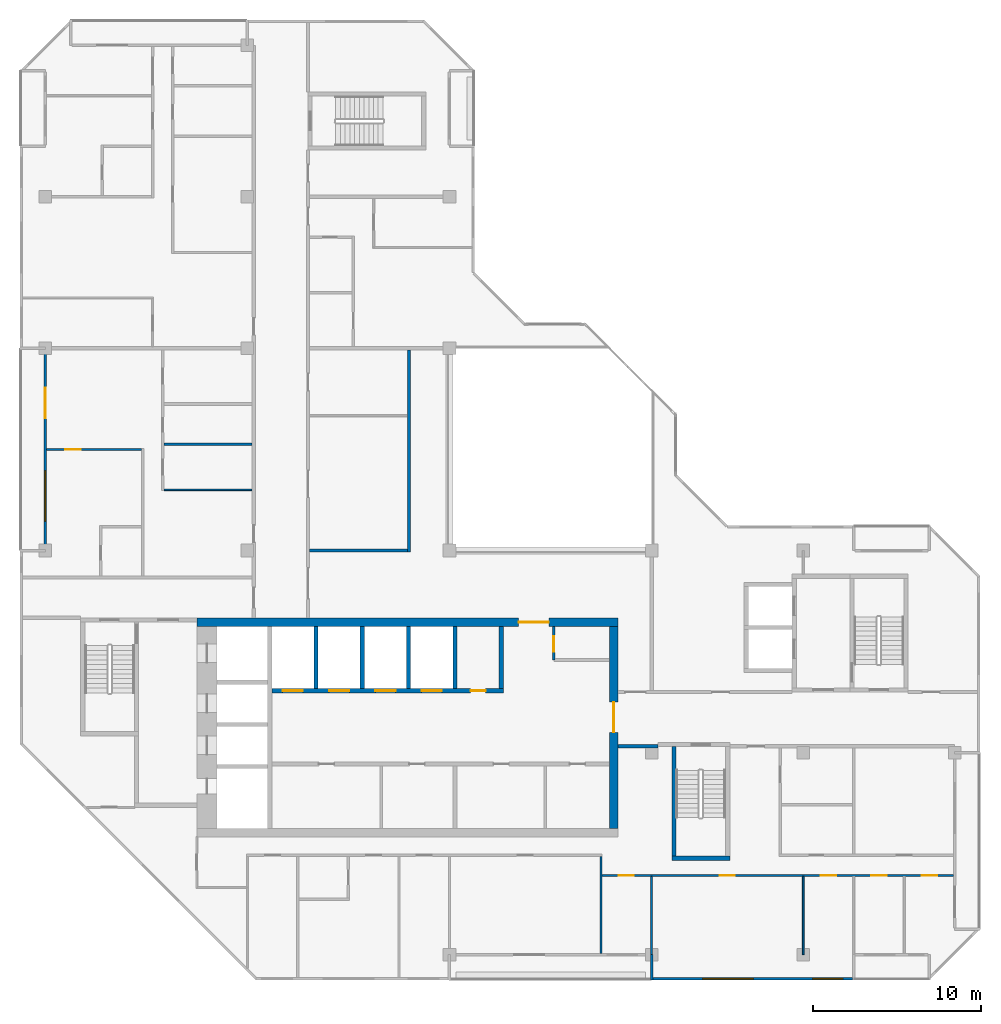
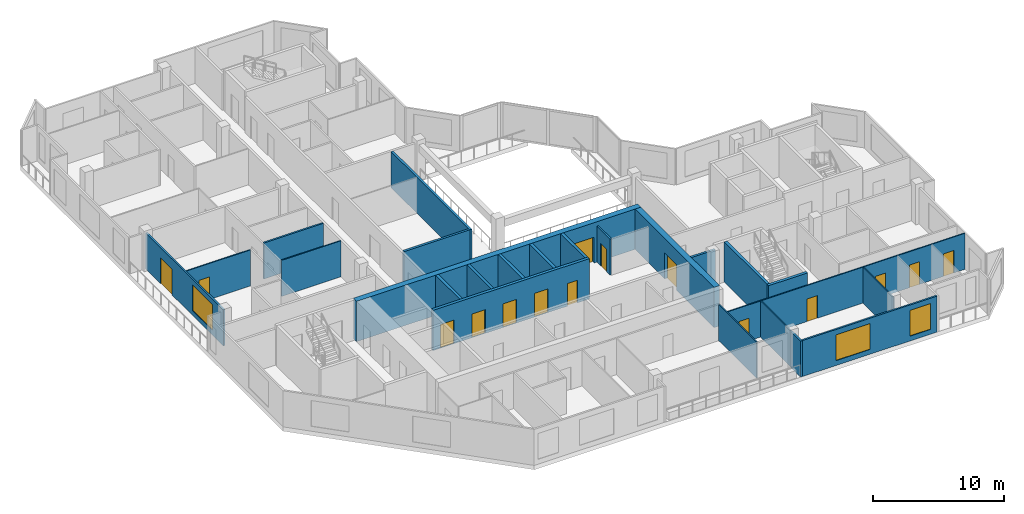
# One storey, part 5 of 12: 24 walls, 15 doors, 3 windows, 18 openings.
"""IFC4 building model written with IfcOpenShell, lengths in metres."""

import ifcopenshell
import ifcopenshell.guid

model = None  # the IFC model being written
_history = None  # IfcOwnerHistory: only IFC2X3 demands one
_inside = {}  # id of a spatial element -> (the spatial element, [elements in it])
_under = {}  # id of a project, library or spatial element -> (it, [spatial elements below it])
_declared = {}  # id of a project -> (the project, [libraries it declares])
_typed = {}  # id of a type object -> (the type object, [elements of that type])
_made_of = {}  # id of a material, layer set ... -> (it, [elements and type objects made of it])


def new_model(schema):
    """Start an empty IFC model of exactly this schema.

    Asked for "IFC4X3", IfcOpenShell would pick the latest addendum, in which some entities
    have other attributes; the version numbers below select the first issue.
    IFC2X3 requires an IfcOwnerHistory on every rooted entity: one is made here for all.
    """
    global model, _history
    if schema == "IFC4X3":
        model = ifcopenshell.file(schema_version=(4, 3, 0, 0))
    else:
        model = ifcopenshell.file(schema=schema)
    _inside.clear()
    _under.clear()
    _declared.clear()
    _typed.clear()
    _made_of.clear()
    _history = None
    if model.schema == "IFC2X3":
        org = make("IfcOrganization", Name="unknown")
        user = make(
            "IfcPersonAndOrganization",
            ThePerson=make("IfcPerson", FamilyName="unknown"),
            TheOrganization=org,
        )
        app = make(
            "IfcApplication",
            ApplicationDeveloper=org,
            Version="unknown",
            ApplicationFullName="unknown",
            ApplicationIdentifier="unknown",
        )
        _history = make(
            "IfcOwnerHistory",
            OwningUser=user,
            OwningApplication=app,
            ChangeAction="ADDED",
            CreationDate=0,
        )
    return model


def make(cls, **values):
    """One entity of the class cls with the attributes given. An attribute that is None is left unset."""
    return model.create_entity(
        cls, **{name: value for name, value in values.items() if value is not None}
    )


def rooted(cls, **values):
    """An entity with a GlobalId (a new one), such as an element, a storey or a relation."""
    return make(cls, GlobalId=ifcopenshell.guid.new(), OwnerHistory=_history, **values)


def si_unit(unit_type, name, prefix=None):
    """IfcSIUnit, for example si_unit("LENGTHUNIT", "METRE", prefix="MILLI")."""
    return make("IfcSIUnit", UnitType=unit_type, Prefix=prefix, Name=name)


def assignment(units):
    """IfcUnitAssignment: the units of a project."""
    return None if units is None else make("IfcUnitAssignment", Units=units)


def point(xyz):
    """IfcCartesianPoint."""
    return None if xyz is None else make("IfcCartesianPoint", Coordinates=xyz)


def direction(xyz):
    """IfcDirection."""
    return None if xyz is None else make("IfcDirection", DirectionRatios=xyz)


def frame(location, z_axis=None, x_axis=None):
    """IfcAxis2Placement3D, a coordinate frame: its origin and axes. An axis left out is left unset."""
    return make(
        "IfcAxis2Placement3D",
        Location=point(location),
        Axis=direction(z_axis),
        RefDirection=direction(x_axis),
    )


def frame_2d(location, x_axis=None):
    """IfcAxis2Placement2D, a coordinate frame in the plane: its origin and x axis."""
    return make(
        "IfcAxis2Placement2D", Location=point(location), RefDirection=direction(x_axis)
    )


def origin():
    """The frame at (0, 0, 0) with its axes left unset."""
    return frame((0.0, 0.0, 0.0))


def place(relative_to, where):
    """IfcLocalPlacement: puts the frame where relative to a parent placement (None: the world)."""
    return make(
        "IfcLocalPlacement", PlacementRelTo=relative_to, RelativePlacement=where
    )


def context(
    kind, dimensions, precision=None, world=None, true_north=None, identifier=None
):
    """IfcGeometricRepresentationContext, for example the 3D "Model" context."""
    return make(
        "IfcGeometricRepresentationContext",
        ContextIdentifier=identifier,
        ContextType=kind,
        CoordinateSpaceDimension=dimensions,
        Precision=precision,
        WorldCoordinateSystem=world,
        TrueNorth=true_north,
    )


def subcontext(parent, identifier, kind, view, scale=None):
    """IfcGeometricRepresentationSubContext, for example "Body" below "Model"."""
    return make(
        "IfcGeometricRepresentationSubContext",
        ContextIdentifier=identifier,
        ContextType=kind,
        ParentContext=parent,
        TargetScale=scale,
        TargetView=view,
    )


def project(units=None, contexts=None):
    """IfcProject with its units and contexts."""
    return rooted(
        "IfcProject",
        Name="project",
        RepresentationContexts=contexts,
        UnitsInContext=assignment(units),
    )


def spatial(cls, under=None, at=None, **own):
    """A site, building, storey or space (cls), placed at a placement, below another one or the project."""
    s = rooted(cls, ObjectPlacement=at, **own)
    if under is not None:
        _under.setdefault(under.id(), (under, []))[1].append(s)
    return s


def profile(cls, at=None, kind="AREA", **sizes):
    """A parametric profile (cls). Its sizes go by their IFC names, for example OverallWidth=200.0."""
    return make(cls, ProfileType=kind, Position=at, **sizes)


def rectangle(**sizes):
    """IfcRectangleProfileDef."""
    return profile("IfcRectangleProfileDef", **sizes)


def extrude(swept, where, along, depth):
    """IfcExtrudedAreaSolid: the profile swept, set in the frame where, extruded along a direction by depth."""
    return make(
        "IfcExtrudedAreaSolid",
        SweptArea=swept,
        Position=where,
        ExtrudedDirection=direction(along),
        Depth=depth,
    )


def shape(context_of_items, identifier, shape_type, items):
    """IfcShapeRepresentation: the items that make up one representation, for example the "Body"."""
    return make(
        "IfcShapeRepresentation",
        ContextOfItems=context_of_items,
        RepresentationIdentifier=identifier,
        RepresentationType=shape_type,
        Items=items,
    )


def material(Name=None, Category=None):
    """IfcMaterial."""
    return make("IfcMaterial", Name=Name, Category=Category)


def layer(
    of_material, thickness, ventilated=None, Name=None, Category=None, Priority=None
):
    """IfcMaterialLayer: one layer of a wall or slab, of a material (None: an air gap)."""
    return make(
        "IfcMaterialLayer",
        Material=of_material,
        LayerThickness=thickness,
        IsVentilated=ventilated,
        Name=Name,
        Category=Category,
        Priority=Priority,
    )


def layer_set(layers, Name=None):
    """IfcMaterialLayerSet."""
    return make("IfcMaterialLayerSet", MaterialLayers=layers, LayerSetName=Name)


def made_of(thing, what):
    """Note that an element or type object is made of a material, layer set ...; save() writes the relation."""
    if what is not None:
        _made_of.setdefault(what.id(), (what, []))[1].append(thing)
    return thing


def type_object(cls, material=None, **own):
    """A type object (cls), such as IfcWallType, which elements share."""
    return made_of(rooted(cls, **own), material)


def element(
    cls,
    number,
    at=None,
    inside=None,
    cuts=None,
    type_object=None,
    material=None,
    context=None,
    identifier="Body",
    shape_type=None,
    held_by="IfcProductDefinitionShape",
    body=None,
    shapes=None,
    **own,
):
    """One element of the class cls, such as IfcWall. Its Tag is "e" and its number.

    at: its placement. inside: the storey or other place that contains it. cuts: it is an
    opening in that element (IfcRelVoidsElement). A single representation is given by context,
    identifier, shape_type and body (its items); several are given by shapes. held_by: the class
    of the entity that holds the representations. save() writes the other relations.
    """
    e = rooted(cls, Tag="e%d" % number, ObjectPlacement=at, **own)
    if body is not None:
        shapes = [shape(context, identifier, shape_type, body)]
    if shapes is not None:
        e.Representation = make(held_by, Representations=shapes)
    if inside is not None:
        _inside.setdefault(inside.id(), (inside, []))[1].append(e)
    if cuts is not None:
        rooted(
            "IfcRelVoidsElement", RelatingBuildingElement=cuts, RelatedOpeningElement=e
        )
    if type_object is not None:
        _typed.setdefault(type_object.id(), (type_object, []))[1].append(e)
    return made_of(e, material)


def fill(opening, filler):
    """IfcRelFillsElement: the door or window that sits in an opening."""
    return rooted(
        "IfcRelFillsElement",
        RelatingOpeningElement=opening,
        RelatedBuildingElement=filler,
    )


def aggregate(whole, parts):
    """IfcRelAggregates: a whole, such as a stair, and the parts it consists of."""
    return rooted("IfcRelAggregates", RelatingObject=whole, RelatedObjects=parts)


def save(model, path):
    """Write the relations noted so far, then the file.

    IfcRelAggregates (storeys below a building ...), IfcRelContainedInSpatialStructure (elements
    in a storey), IfcRelDefinesByType, IfcRelAssociatesMaterial and IfcRelDeclares: one each for
    every whole, place, type object, material and project.
    """
    for whole, parts in _under.values():
        aggregate(whole, parts)
    for where, things in _inside.values():
        rooted(
            "IfcRelContainedInSpatialStructure",
            RelatedElements=things,
            RelatingStructure=where,
        )
    for kind, things in _typed.values():
        rooted("IfcRelDefinesByType", RelatedObjects=things, RelatingType=kind)
    for what, things in _made_of.values():
        rooted("IfcRelAssociatesMaterial", RelatedObjects=things, RelatingMaterial=what)
    for by, libraries in _declared.values():
        rooted("IfcRelDeclares", RelatingContext=by, RelatedDefinitions=libraries)
    model.write(path)


model = new_model("IFC4")

# Units and contexts
model_context = context("Model", 3, precision=1e-05, world=origin(), true_north=direction((0.0, 1.0)))
body_context = subcontext(model_context, "Body", "Model", "MODEL_VIEW")
ifc_project = project(units=[si_unit("LENGTHUNIT", "METRE"), si_unit("AREAUNIT", "SQUARE_METRE"), si_unit("VOLUMEUNIT", "CUBIC_METRE"), si_unit("PLANEANGLEUNIT", "RADIAN"), si_unit("MASSUNIT", "GRAM", prefix="KILO")], contexts=[model_context])

# Site, building, storey
site_placement = place(None, origin())
site = spatial("IfcSite", under=ifc_project, at=site_placement, CompositionType="ELEMENT")
building_placement = place(site_placement, origin())
building = spatial("IfcBuilding", under=site, at=building_placement, Name="Chenar Terraces", CompositionType="ELEMENT")
storey_placement = place(building_placement, frame((0.0, 0.0, 372.64990234375)))
storey = spatial("IfcBuildingStorey", under=building, at=storey_placement, Name="L87", CompositionType="ELEMENT", Elevation=372.64990234375)

# Wall, opening, door
ifc_material_1 = material(Name="Gypsum board on steel studs", Category="steel")
ifc_layer_1 = layer(ifc_material_1, 0.14990234375)
ifc_layer_set_1 = layer_set([ifc_layer_1], Name="Gypsum board on steel studs")
wall_type_1 = type_object("IfcWallType", Name="Core partition 150 gypsum board", PredefinedType="PARTITIONING", material=ifc_layer_set_1)
wall_1_placement = place(storey_placement, frame((30.199951171875, 17.5, 0.0), z_axis=(0.0, 0.0, 1.0), x_axis=(0.0, 1.0, 0.0)))
wall_1 = element("IfcWall", 1, at=wall_1_placement, inside=storey, type_object=wall_type_1, Name="Core partition CP1 vestibule room west wall", PredefinedType="PARTITIONING", context=body_context, shape_type="SweptSolid", body=[
    extrude(rectangle(XDim=2.0, YDim=0.14990234375, at=frame_2d((1.0, 0.0))), origin(), (0.0, 0.0, 1.0), 3.35009765625),
])
opening_1_placement = place(wall_1_placement, frame((0.5, 0.0, 0.0)))
opening_1 = element("IfcOpeningElement", 2, at=opening_1_placement, cuts=wall_1, Name="Opening DL87-C17", PredefinedType="OPENING", context=body_context, shape_type="SweptSolid", body=[
    extrude(rectangle(XDim=0.89990234375, YDim=2.10009765625, at=frame_2d((0.449951171875, 1.050048828125))), frame((0.0, 0.0849609375, 0.0), z_axis=(0.0, -1.0, 0.0), x_axis=(1.0, 0.0, 0.0)), (0.0, 0.0, 1.0), 0.169921875),
])
ifc_material_2 = material(Name="Steel-framed fire-resisting door leaf", Category="steel")
door_type_1 = type_object("IfcDoorType", Name="Riser fire door FD60 900 x 2100", OperationType="SINGLE_SWING_LEFT", PredefinedType="DOOR", material=ifc_material_2)
door_1_placement = place(opening_1_placement, frame((0.89990234375, 0.0, 0.0), z_axis=(0.0, 0.0, 1.0), x_axis=(-1.0, 0.0, 0.0)))
door_1 = element("IfcDoor", 3, at=door_1_placement, inside=storey, type_object=door_type_1, Name="Core room door DL87-C17", OperationType="SINGLE_SWING_RIGHT", OverallHeight=2.10009765625, OverallWidth=0.89990234375, PredefinedType="DOOR", context=body_context, shape_type="SweptSolid", body=[
    extrude(rectangle(XDim=0.89990234375, YDim=2.10009765625, at=frame_2d((0.449951171875, 1.050048828125))), frame((0.0, 0.02490234375, 0.0), z_axis=(0.0, -1.0, 0.0), x_axis=(1.0, 0.0, 0.0)), (0.0, 0.0, 1.0), 0.050048828125),
])
fill(opening_1, door_1)

# Wall, openings, doors
ifc_material_3 = material(Name="Concrete C50/60", Category="concrete")
ifc_layer_2 = layer(ifc_material_3, 0.25)
ifc_layer_set_2 = layer_set([ifc_layer_2], Name="Concrete C50/60")
wall_type_2 = type_object("IfcWallType", Name="Core wall 250 Concrete C50/60", PredefinedType="SHEAR", material=ifc_layer_set_2)
wall_2_placement = place(storey_placement, frame((13.449951171875, 15.675048828125, 0.0), z_axis=(0.0, 0.0, 1.0), x_axis=(1.0, 0.0, 0.0)))
wall_2 = element("IfcWall", 4, at=wall_2_placement, inside=storey, type_object=wall_type_2, Name="Core wall NF L87", PredefinedType="SHEAR", context=body_context, shape_type="SweptSolid", body=[
    extrude(rectangle(XDim=13.75, YDim=0.25, at=frame_2d((6.875, 0.0))), origin(), (0.0, 0.0, 1.0), 3.75),
])
opening_2_placement = place(wall_2_placement, frame((0.64990234375, 0.0, 0.0)))
opening_2 = element("IfcOpeningElement", 5, at=opening_2_placement, cuts=wall_2, Name="Opening DL87-LD1", PredefinedType="OPENING", context=body_context, shape_type="SweptSolid", body=[
    extrude(rectangle(XDim=1.199951171875, YDim=2.199951171875, at=frame_2d((0.60009765625, 1.10009765625))), frame((0.0, 0.135009765625, 0.0), z_axis=(0.0, -1.0, 0.0), x_axis=(1.0, 0.0, 0.0)), (0.0, 0.0, 1.0), 0.27001953125),
])
opening_3_placement = place(wall_2_placement, frame((3.39990234375, 0.0, 0.0)))
opening_3 = element("IfcOpeningElement", 6, at=opening_3_placement, cuts=wall_2, Name="Opening DL87-LD2", PredefinedType="OPENING", context=body_context, shape_type="SweptSolid", body=[
    extrude(rectangle(XDim=1.199951171875, YDim=2.199951171875, at=frame_2d((0.60009765625, 1.10009765625))), frame((0.0, 0.135009765625, 0.0), z_axis=(0.0, -1.0, 0.0), x_axis=(1.0, 0.0, 0.0)), (0.0, 0.0, 1.0), 0.27001953125),
])
opening_4_placement = place(wall_2_placement, frame((6.14990234375, 0.0, 0.0)))
opening_4 = element("IfcOpeningElement", 7, at=opening_4_placement, cuts=wall_2, Name="Opening DL87-LD3", PredefinedType="OPENING", context=body_context, shape_type="SweptSolid", body=[
    extrude(rectangle(XDim=1.199951171875, YDim=2.199951171875, at=frame_2d((0.60009765625, 1.10009765625))), frame((0.0, 0.135009765625, 0.0), z_axis=(0.0, -1.0, 0.0), x_axis=(1.0, 0.0, 0.0)), (0.0, 0.0, 1.0), 0.27001953125),
])
opening_5_placement = place(wall_2_placement, frame((8.89990234375, 0.0, 0.0)))
opening_5 = element("IfcOpeningElement", 8, at=opening_5_placement, cuts=wall_2, Name="Opening DL87-LD4", PredefinedType="OPENING", context=body_context, shape_type="SweptSolid", body=[
    extrude(rectangle(XDim=1.199951171875, YDim=2.199951171875, at=frame_2d((0.60009765625, 1.10009765625))), frame((0.0, 0.135009765625, 0.0), z_axis=(0.0, -1.0, 0.0), x_axis=(1.0, 0.0, 0.0)), (0.0, 0.0, 1.0), 0.27001953125),
])
opening_6_placement = place(wall_2_placement, frame((11.800048828125, 0.0, 0.0)))
opening_6 = element("IfcOpeningElement", 9, at=opening_6_placement, cuts=wall_2, Name="Opening DL87-C16", PredefinedType="OPENING", context=body_context, shape_type="SweptSolid", body=[
    extrude(rectangle(XDim=0.89990234375, YDim=2.10009765625, at=frame_2d((0.449951171875, 1.050048828125))), frame((0.0, 0.135009765625, 0.0), z_axis=(0.0, -1.0, 0.0), x_axis=(1.0, 0.0, 0.0)), (0.0, 0.0, 1.0), 0.27001953125),
])
ifc_material_4 = material(Name="Stainless steel", Category="steel")
door_type_2 = type_object("IfcDoorType", Name="Lift landing door 1200 x 2200 sliding", OperationType="DOUBLE_DOOR_SLIDING", PredefinedType="DOOR", material=ifc_material_4)
door_2_placement = place(opening_2_placement, origin())
door_2 = element("IfcDoor", 10, at=door_2_placement, inside=storey, type_object=door_type_2, Name="Landing door H1", OperationType="DOUBLE_DOOR_SLIDING", OverallHeight=2.199951171875, OverallWidth=1.199951171875, PredefinedType="DOOR", context=body_context, shape_type="SweptSolid", body=[
    extrude(rectangle(XDim=1.199951171875, YDim=2.199951171875, at=frame_2d((0.60009765625, 1.10009765625))), frame((0.0, 0.02490234375, 0.0), z_axis=(0.0, -1.0, 0.0), x_axis=(1.0, 0.0, 0.0)), (0.0, 0.0, 1.0), 0.050048828125),
])
fill(opening_2, door_2)
door_3_placement = place(opening_3_placement, origin())
door_3 = element("IfcDoor", 11, at=door_3_placement, inside=storey, type_object=door_type_2, Name="Landing door H2", OperationType="DOUBLE_DOOR_SLIDING", OverallHeight=2.199951171875, OverallWidth=1.199951171875, PredefinedType="DOOR", context=body_context, shape_type="SweptSolid", body=[
    extrude(rectangle(XDim=1.199951171875, YDim=2.199951171875, at=frame_2d((0.60009765625, 1.10009765625))), frame((0.0, 0.02490234375, 0.0), z_axis=(0.0, -1.0, 0.0), x_axis=(1.0, 0.0, 0.0)), (0.0, 0.0, 1.0), 0.050048828125),
])
fill(opening_3, door_3)
door_4_placement = place(opening_4_placement, origin())
door_4 = element("IfcDoor", 12, at=door_4_placement, inside=storey, type_object=door_type_2, Name="Landing door H3", OperationType="DOUBLE_DOOR_SLIDING", OverallHeight=2.199951171875, OverallWidth=1.199951171875, PredefinedType="DOOR", context=body_context, shape_type="SweptSolid", body=[
    extrude(rectangle(XDim=1.199951171875, YDim=2.199951171875, at=frame_2d((0.60009765625, 1.10009765625))), frame((0.0, 0.02490234375, 0.0), z_axis=(0.0, -1.0, 0.0), x_axis=(1.0, 0.0, 0.0)), (0.0, 0.0, 1.0), 0.050048828125),
])
fill(opening_4, door_4)
door_5_placement = place(opening_5_placement, origin())
door_5 = element("IfcDoor", 13, at=door_5_placement, inside=storey, type_object=door_type_2, Name="Landing door H4", OperationType="DOUBLE_DOOR_SLIDING", OverallHeight=2.199951171875, OverallWidth=1.199951171875, PredefinedType="DOOR", context=body_context, shape_type="SweptSolid", body=[
    extrude(rectangle(XDim=1.199951171875, YDim=2.199951171875, at=frame_2d((0.60009765625, 1.10009765625))), frame((0.0, 0.02490234375, 0.0), z_axis=(0.0, -1.0, 0.0), x_axis=(1.0, 0.0, 0.0)), (0.0, 0.0, 1.0), 0.050048828125),
])
fill(opening_5, door_5)
door_6_placement = place(opening_6_placement, origin())
door_6 = element("IfcDoor", 14, at=door_6_placement, inside=storey, type_object=door_type_1, Name="Core room door DL87-C16", OperationType="SINGLE_SWING_RIGHT", OverallHeight=2.10009765625, OverallWidth=0.89990234375, PredefinedType="DOOR", context=body_context, shape_type="SweptSolid", body=[
    extrude(rectangle(XDim=0.89990234375, YDim=2.10009765625, at=frame_2d((0.449951171875, 1.050048828125))), frame((0.0, 0.02490234375, 0.0), z_axis=(0.0, -1.0, 0.0), x_axis=(1.0, 0.0, 0.0)), (0.0, 0.0, 1.0), 0.050048828125),
])
fill(opening_6, door_6)

# Walls
for number, where, z_axis, x_axis, name in (
    (15, (16.074951171875, 15.800048828125, 0.0), (0.0, 0.0, 1.0), (0.0, 1.0, 0.0), "Core wall NS0 L87"),
    (16, (18.824951171875, 15.800048828125, 0.0), (0.0, 0.0, 1.0), (0.0, 1.0, 0.0), "Core wall NS1 L87"),
    (17, (21.574951171875, 15.800048828125, 0.0), (0.0, 0.0, 1.0), (0.0, 1.0, 0.0), "Core wall NS2 L87"),
    (18, (24.324951171875, 15.800048828125, 0.0), (0.0, 0.0, 1.0), (0.0, 1.0, 0.0), "Core wall NS3 L87"),
    (19, (27.074951171875, 15.800048828125, 0.0), (0.0, 0.0, 1.0), (0.0, 1.0, 0.0), "Core wall NE L87"),
):
    element("IfcWall", number, at=place(storey_placement, frame(where, z_axis=z_axis, x_axis=x_axis)), inside=storey, type_object=wall_type_2, Name=name, PredefinedType="SHEAR", context=body_context, shape_type="SweptSolid", body=[
        extrude(rectangle(XDim=3.699951171875, YDim=0.25, at=frame_2d((1.85009765625, 0.0))), origin(), (0.0, 0.0, 1.0), 3.75),
    ])
wall_3_placement = place(storey_placement, frame((37.199951171875, 5.72509765625, 0.0), z_axis=(0.0, 0.0, 1.0), x_axis=(1.0, 0.0, 0.0)))
element("IfcWall", 20, at=wall_3_placement, inside=storey, type_object=wall_type_2, Name="Core wall ST2_S L87", PredefinedType="SHEAR", context=body_context, shape_type="SweptSolid", body=[
    extrude(rectangle(XDim=3.449951171875, YDim=0.25, at=frame_2d((1.72509765625, 0.0))), origin(), (0.0, 0.0, 1.0), 3.75),
])
wall_4_placement = place(storey_placement, frame((37.324951171875, 5.85009765625, 0.0), z_axis=(0.0, 0.0, 1.0), x_axis=(0.0, 1.0, 0.0)))
element("IfcWall", 21, at=wall_4_placement, inside=storey, type_object=wall_type_2, Name="Core wall ST2_W L87", PredefinedType="SHEAR", context=body_context, shape_type="SweptSolid", body=[
    extrude(rectangle(XDim=6.5, YDim=0.25, at=frame_2d((3.25, 0.0))), origin(), (0.0, 0.0, 1.0), 3.75),
])

# Wall, opening, door
ifc_material_5 = material(Name="Concrete C50/60", Category="concrete")
ifc_layer_3 = layer(ifc_material_5, 0.5)
ifc_layer_set_3 = layer_set([ifc_layer_3], Name="Concrete C50/60")
wall_type_3 = type_object("IfcWallType", Name="Core wall 500 Concrete C50/60", PredefinedType="SHEAR", material=ifc_layer_set_3)
wall_5_placement = place(storey_placement, frame((9.0, 19.75, 0.0), z_axis=(0.0, 0.0, 1.0), x_axis=(1.0, 0.0, 0.0)))
wall_5 = element("IfcWall", 22, at=wall_5_placement, inside=storey, type_object=wall_type_3, Name="Core wall N L87", PredefinedType="SHEAR", context=body_context, shape_type="SweptSolid", body=[
    extrude(rectangle(XDim=25.0, YDim=0.5, at=frame_2d((12.5, 0.0))), origin(), (0.0, 0.0, 1.0), 3.75),
])
opening_7_placement = place(wall_5_placement, frame((19.10009765625, 0.0, 0.0)))
opening_7 = element("IfcOpeningElement", 23, at=opening_7_placement, cuts=wall_5, Name="Opening DL87-C2", PredefinedType="OPENING", context=body_context, shape_type="SweptSolid", body=[
    extrude(rectangle(XDim=1.800048828125, YDim=2.39990234375, at=frame_2d((0.89990234375, 1.199951171875))), frame((0.0, 0.260009765625, 0.0), z_axis=(0.0, -1.0, 0.0), x_axis=(1.0, 0.0, 0.0)), (0.0, 0.0, 1.0), 0.52001953125),
])
ifc_material_6 = material(Name="Steel-framed fire-resisting door leaf", Category="steel")
door_type_3 = type_object("IfcDoorType", Name="Core entrance double fire door FD60 1800 x 2400", OperationType="DOUBLE_DOOR_SINGLE_SWING", PredefinedType="DOOR", material=ifc_material_6)
door_7_placement = place(opening_7_placement, frame((1.800048828125, 0.0, 0.0), z_axis=(0.0, 0.0, 1.0), x_axis=(-1.0, 0.0, 0.0)))
door_7 = element("IfcDoor", 24, at=door_7_placement, inside=storey, type_object=door_type_3, Name="Core door DL87-C2", OperationType="DOUBLE_DOOR_SINGLE_SWING", OverallHeight=2.39990234375, OverallWidth=1.800048828125, PredefinedType="DOOR", context=body_context, shape_type="SweptSolid", body=[
    extrude(rectangle(XDim=1.800048828125, YDim=2.39990234375, at=frame_2d((0.89990234375, 1.199951171875))), frame((0.0, 0.02490234375, 0.0), z_axis=(0.0, -1.0, 0.0), x_axis=(1.0, 0.0, 0.0)), (0.0, 0.0, 1.0), 0.050048828125),
])
fill(opening_7, door_7)

wall_6_placement = place(storey_placement, frame((33.75, 7.5, 0.0), z_axis=(0.0, 0.0, 1.0), x_axis=(0.0, 1.0, 0.0)))
wall_6 = element("IfcWall", 25, at=wall_6_placement, inside=storey, type_object=wall_type_3, Name="Core wall E L87", PredefinedType="SHEAR", context=body_context, shape_type="SweptSolid", body=[
    extrude(rectangle(XDim=12.0, YDim=0.5, at=frame_2d((6.0, 0.0))), origin(), (0.0, 0.0, 1.0), 3.75),
])
opening_8_placement = place(wall_6_placement, frame((5.699951171875, 0.0, 0.0)))
opening_8 = element("IfcOpeningElement", 26, at=opening_8_placement, cuts=wall_6, Name="Opening DL87-C1", PredefinedType="OPENING", context=body_context, shape_type="SweptSolid", body=[
    extrude(rectangle(XDim=1.800048828125, YDim=2.39990234375, at=frame_2d((0.89990234375, 1.199951171875))), frame((0.0, 0.260009765625, 0.0), z_axis=(0.0, -1.0, 0.0), x_axis=(1.0, 0.0, 0.0)), (0.0, 0.0, 1.0), 0.52001953125),
])
door_8_placement = place(opening_8_placement, origin())
door_8 = element("IfcDoor", 27, at=door_8_placement, inside=storey, type_object=door_type_3, Name="Core door DL87-C1", OperationType="DOUBLE_DOOR_SINGLE_SWING", OverallHeight=2.39990234375, OverallWidth=1.800048828125, PredefinedType="DOOR", context=body_context, shape_type="SweptSolid", body=[
    extrude(rectangle(XDim=1.800048828125, YDim=2.39990234375, at=frame_2d((0.89990234375, 1.199951171875))), frame((0.0, 0.02490234375, 0.0), z_axis=(0.0, -1.0, 0.0), x_axis=(1.0, 0.0, 0.0)), (0.0, 0.0, 1.0), 0.050048828125),
])
fill(opening_8, door_8)

# Walls
ifc_material_7 = material(Name="Gypsum board on steel studs with fire boards", Category="steel")
ifc_layer_4 = layer(ifc_material_7, 0.199951171875)
ifc_layer_set_4 = layer_set([ifc_layer_4], Name="Gypsum board on steel studs with fire boards")
wall_type_4 = type_object("IfcWallType", Name="Corridor wall 200", PredefinedType="PARTITIONING", material=ifc_layer_set_4)
wall_7_placement = place(storey_placement, frame((15.699951171875, 24.0, 0.0), z_axis=(0.0, 0.0, 1.0), x_axis=(1.0, 0.0, 0.0)))
element("IfcWall", 28, at=wall_7_placement, inside=storey, type_object=wall_type_4, Name="Partition L87-033", PredefinedType="PARTITIONING", context=body_context, shape_type="SweptSolid", body=[
    extrude(rectangle(XDim=5.800048828125, YDim=0.199951171875, at=frame_2d((2.89990234375, 0.0))), origin(), (0.0, 0.0, 1.0), 3.35009765625),
])
wall_8_placement = place(storey_placement, frame((21.60009765625, 23.89990234375, 0.0), z_axis=(0.0, 0.0, 1.0), x_axis=(0.0, 1.0, 0.0)))
element("IfcWall", 29, at=wall_8_placement, inside=storey, type_object=wall_type_4, Name="Partition L87-044", PredefinedType="PARTITIONING", context=body_context, shape_type="SweptSolid", body=[
    extrude(rectangle(XDim=12.0, YDim=0.199951171875, at=frame_2d((6.0, 0.0))), origin(), (0.0, 0.0, 1.0), 3.35009765625),
])
wall_9_placement = place(storey_placement, frame((34.0, 12.375, 0.0), z_axis=(0.0, 0.0, 1.0), x_axis=(1.0, 0.0, 0.0)))
element("IfcWall", 30, at=wall_9_placement, inside=storey, type_object=wall_type_4, Name="Partition L87-048", PredefinedType="PARTITIONING", context=body_context, shape_type="SweptSolid", body=[
    extrude(rectangle(XDim=2.3759765625, YDim=0.199951171875, at=frame_2d((1.18798828125, 0.0))), origin(), (0.0, 0.0, 1.0), 3.35009765625),
])

# Wall, openings, windows
ifc_material_8 = material(Name="Aluminium framed glazing", Category="aluminium")
ifc_layer_5 = layer(ifc_material_8, 0.14990234375)
ifc_layer_set_5 = layer_set([ifc_layer_5], Name="Aluminium framed glazing")
wall_type_5 = type_object("IfcWallType", Name="Glazed flush facade wall 150", PredefinedType="SOLIDWALL", material=ifc_layer_set_5)
wall_10_placement = place(storey_placement, frame((36.074951171875, -1.425048828125, 0.0), z_axis=(0.0, 0.0, 1.0), x_axis=(1.0, 0.0, 0.0)))
wall_10 = element("IfcWall", 31, at=wall_10_placement, inside=storey, type_object=wall_type_5, Name="Glazed flush facade wall", PredefinedType="SOLIDWALL", context=body_context, shape_type="SweptSolid", body=[
    extrude(rectangle(XDim=11.85009765625, YDim=0.14990234375, at=frame_2d((5.925048828125, 0.0))), origin(), (0.0, 0.0, 1.0), 3.35009765625),
])
opening_9_placement = place(wall_10_placement, frame((2.96240234375, 0.0, 0.449951171875)))
opening_9 = element("IfcOpeningElement", 32, at=opening_9_placement, cuts=wall_10, Name="Opening W300x240", PredefinedType="OPENING", context=body_context, shape_type="SweptSolid", body=[
    extrude(rectangle(XDim=3.0, YDim=2.39990234375, at=frame_2d((1.5, 1.199951171875))), frame((0.0, 0.0849609375, 0.0), z_axis=(0.0, -1.0, 0.0), x_axis=(1.0, 0.0, 0.0)), (0.0, 0.0, 1.0), 0.169921875),
])
opening_10_placement = place(wall_10_placement, frame((9.487548828125, 0.0, 0.449951171875)))
opening_10 = element("IfcOpeningElement", 33, at=opening_10_placement, cuts=wall_10, Name="Opening W180x240", PredefinedType="OPENING", context=body_context, shape_type="SweptSolid", body=[
    extrude(rectangle(XDim=1.800048828125, YDim=2.39990234375, at=frame_2d((0.89990234375, 1.199951171875))), frame((0.0, 0.0849609375, 0.0), z_axis=(0.0, -1.0, 0.0), x_axis=(1.0, 0.0, 0.0)), (0.0, 0.0, 1.0), 0.169921875),
])
ifc_material_9 = material(Name="Low emissivity double glazing, aluminium frame", Category="aluminium")
window_type_1 = type_object("IfcWindowType", Name="Fixed light 1800 x 2400", PartitioningType="SINGLE_PANEL", PredefinedType="WINDOW", material=ifc_material_9)
window_1_placement = place(opening_10_placement, origin())
window_1 = element("IfcWindow", 34, at=window_1_placement, inside=storey, type_object=window_type_1, Name="Window", OverallHeight=2.39990234375, OverallWidth=1.800048828125, PartitioningType="SINGLE_PANEL", PredefinedType="WINDOW", context=body_context, shape_type="SweptSolid", body=[
    extrude(rectangle(XDim=1.800048828125, YDim=2.39990234375, at=frame_2d((0.89990234375, 1.199951171875))), frame((0.0, 0.030029296875, 0.0), z_axis=(0.0, -1.0, 0.0), x_axis=(1.0, 0.0, 0.0)), (0.0, 0.0, 1.0), 0.06005859375),
])
fill(opening_10, window_1)
ifc_material_10 = material(Name="Low emissivity double glazing, aluminium frame", Category="aluminium")
window_type_2 = type_object("IfcWindowType", Name="Fixed light 3000 x 2400", PartitioningType="SINGLE_PANEL", PredefinedType="WINDOW", material=ifc_material_10)
window_2_placement = place(opening_9_placement, origin())
window_2 = element("IfcWindow", 35, at=window_2_placement, inside=storey, type_object=window_type_2, Name="Window", OverallHeight=2.39990234375, OverallWidth=3.0, PartitioningType="SINGLE_PANEL", PredefinedType="WINDOW", context=body_context, shape_type="SweptSolid", body=[
    extrude(rectangle(XDim=3.0, YDim=2.39990234375, at=frame_2d((1.5, 1.199951171875))), frame((0.0, 0.030029296875, 0.0), z_axis=(0.0, -1.0, 0.0), x_axis=(1.0, 0.0, 0.0)), (0.0, 0.0, 1.0), 0.06005859375),
])
fill(opening_9, window_2)

# Wall, openings, window, door
ifc_material_11 = material(Name="Aluminium framed glazing", Category="aluminium")
ifc_layer_6 = layer(ifc_material_11, 0.14990234375)
ifc_layer_set_6 = layer_set([ifc_layer_6], Name="Aluminium framed glazing")
wall_type_6 = type_object("IfcWallType", Name="Glazed loggia back wall 150", PredefinedType="SOLIDWALL", material=ifc_layer_set_6)
wall_11_placement = place(storey_placement, frame((0.0, 35.925048828125, 0.0), z_axis=(0.0, 0.0, 1.0), x_axis=(0.0, -1.0, 0.0)))
wall_11 = element("IfcWall", 36, at=wall_11_placement, inside=storey, type_object=wall_type_6, Name="Glazed loggia back wall", PredefinedType="SOLIDWALL", context=body_context, shape_type="SweptSolid", body=[
    extrude(rectangle(XDim=11.85009765625, YDim=0.14990234375, at=frame_2d((5.925048828125, 0.0))), origin(), (0.0, 0.0, 1.0), 3.35009765625),
])
opening_11_placement = place(wall_11_placement, frame((2.262451171875, 0.0, 0.0)))
opening_11 = element("IfcOpeningElement", 37, at=opening_11_placement, cuts=wall_11, Name="Opening DL87-G2", PredefinedType="OPENING", context=body_context, shape_type="SweptSolid", body=[
    extrude(rectangle(XDim=1.800048828125, YDim=2.39990234375, at=frame_2d((0.89990234375, 1.199951171875))), frame((0.0, 0.0849609375, 0.0), z_axis=(0.0, -1.0, 0.0), x_axis=(1.0, 0.0, 0.0)), (0.0, 0.0, 1.0), 0.169921875),
])
opening_12_placement = place(wall_11_placement, frame((7.1875, 0.0, 0.449951171875)))
opening_12 = element("IfcOpeningElement", 38, at=opening_12_placement, cuts=wall_11, Name="Opening W300x240", PredefinedType="OPENING", context=body_context, shape_type="SweptSolid", body=[
    extrude(rectangle(XDim=3.0, YDim=2.39990234375, at=frame_2d((1.5, 1.199951171875))), frame((0.0, 0.0849609375, 0.0), z_axis=(0.0, -1.0, 0.0), x_axis=(1.0, 0.0, 0.0)), (0.0, 0.0, 1.0), 0.169921875),
])
window_3_placement = place(opening_12_placement, origin())
window_3 = element("IfcWindow", 39, at=window_3_placement, inside=storey, type_object=window_type_2, Name="Window", OverallHeight=2.39990234375, OverallWidth=3.0, PartitioningType="SINGLE_PANEL", PredefinedType="WINDOW", context=body_context, shape_type="SweptSolid", body=[
    extrude(rectangle(XDim=3.0, YDim=2.39990234375, at=frame_2d((1.5, 1.199951171875))), frame((0.0, 0.030029296875, 0.0), z_axis=(0.0, -1.0, 0.0), x_axis=(1.0, 0.0, 0.0)), (0.0, 0.0, 1.0), 0.06005859375),
])
fill(opening_12, window_3)
ifc_material_12 = material(Name="Low emissivity double glazing, aluminium frame", Category="aluminium")
door_type_4 = type_object("IfcDoorType", Name="Loggia glazed double door 1800 x 2400", OperationType="DOUBLE_DOOR_SINGLE_SWING", PredefinedType="DOOR", material=ifc_material_12)
door_9_placement = place(opening_11_placement, frame((1.800048828125, 0.0, 0.0), z_axis=(0.0, 0.0, 1.0), x_axis=(-1.0, 0.0, 0.0)))
door_9 = element("IfcDoor", 40, at=door_9_placement, inside=storey, type_object=door_type_4, Name="Loggia glazed door", OperationType="DOUBLE_DOOR_SINGLE_SWING", OverallHeight=2.39990234375, OverallWidth=1.800048828125, PredefinedType="DOOR", context=body_context, shape_type="SweptSolid", body=[
    extrude(rectangle(XDim=1.800048828125, YDim=2.39990234375, at=frame_2d((0.89990234375, 1.199951171875))), frame((0.0, 0.02490234375, 0.0), z_axis=(0.0, -1.0, 0.0), x_axis=(1.0, 0.0, 0.0)), (0.0, 0.0, 1.0), 0.050048828125),
])
fill(opening_11, door_9)

# Wall, opening, door
ifc_material_13 = material(Name="Gypsum board on steel studs", Category="steel")
ifc_layer_7 = layer(ifc_material_13, 0.10009765625)
ifc_layer_set_7 = layer_set([ifc_layer_7], Name="Gypsum board on steel studs")
wall_type_7 = type_object("IfcWallType", Name="Gypsum partition 100", PredefinedType="PARTITIONING", material=ifc_layer_set_7)
wall_12_placement = place(storey_placement, frame((0.073974609375, 30.0, 0.0), z_axis=(0.0, 0.0, 1.0), x_axis=(1.0, 0.0, 0.0)))
wall_12 = element("IfcWall", 41, at=wall_12_placement, inside=storey, type_object=wall_type_7, Name="Partition L87-006", PredefinedType="PARTITIONING", context=body_context, shape_type="SweptSolid", body=[
    extrude(rectangle(XDim=5.6259765625, YDim=0.10009765625, at=frame_2d((2.81298828125, 0.0))), origin(), (0.0, 0.0, 1.0), 3.35009765625),
])
opening_13_placement = place(wall_12_placement, frame((1.1259765625, 0.0, 0.0)))
opening_13 = element("IfcOpeningElement", 42, at=opening_13_placement, cuts=wall_12, Name="Opening DL87-38", PredefinedType="OPENING", context=body_context, shape_type="SweptSolid", body=[
    extrude(rectangle(XDim=0.89990234375, YDim=2.10009765625, at=frame_2d((0.449951171875, 1.050048828125))), frame((0.0, 0.06005859375, 0.0), z_axis=(0.0, -1.0, 0.0), x_axis=(1.0, 0.0, 0.0)), (0.0, 0.0, 1.0), 0.1201171875),
])
ifc_material_14 = material(Name="Veneered timber door leaf", Category="wood")
door_type_5 = type_object("IfcDoorType", Name="Door 900 x 2100", OperationType="SINGLE_SWING_LEFT", PredefinedType="DOOR", material=ifc_material_14)
door_10_placement = place(opening_13_placement, frame((0.89990234375, 0.0, 0.0), z_axis=(0.0, 0.0, 1.0), x_axis=(-1.0, 0.0, 0.0)))
door_10 = element("IfcDoor", 43, at=door_10_placement, inside=storey, type_object=door_type_5, Name="Door DL87-38", OperationType="SINGLE_SWING_RIGHT", OverallHeight=2.10009765625, OverallWidth=0.89990234375, PredefinedType="DOOR", context=body_context, shape_type="SweptSolid", body=[
    extrude(rectangle(XDim=0.89990234375, YDim=2.10009765625, at=frame_2d((0.449951171875, 1.050048828125))), frame((0.0, 0.02490234375, 0.0), z_axis=(0.0, -1.0, 0.0), x_axis=(1.0, 0.0, 0.0)), (0.0, 0.0, 1.0), 0.050048828125),
])
fill(opening_13, door_10)

# Walls
wall_13_placement = place(storey_placement, frame((7.050048828125, 27.60009765625, 0.0), z_axis=(0.0, 0.0, 1.0), x_axis=(1.0, 0.0, 0.0)))
element("IfcWall", 44, at=wall_13_placement, inside=storey, type_object=wall_type_7, Name="Partition L87-017", PredefinedType="PARTITIONING", context=body_context, shape_type="SweptSolid", body=[
    extrude(rectangle(XDim=5.224853515625, YDim=0.10009765625, at=frame_2d((2.6123046875, 0.0))), origin(), (0.0, 0.0, 1.0), 3.35009765625),
])
wall_14_placement = place(storey_placement, frame((33.0, 0.073974609375, 0.0), z_axis=(0.0, 0.0, 1.0), x_axis=(0.0, 1.0, 0.0)))
element("IfcWall", 45, at=wall_14_placement, inside=storey, type_object=wall_type_7, Name="Partition L87-046", PredefinedType="PARTITIONING", context=body_context, shape_type="SweptSolid", body=[
    extrude(rectangle(XDim=5.7509765625, YDim=0.10009765625, at=frame_2d((2.87548828125, 0.0))), origin(), (0.0, 0.0, 1.0), 3.35009765625),
])

# Wall, openings, doors
wall_15_placement = place(storey_placement, frame((33.050048828125, 4.699951171875, 0.0), z_axis=(0.0, 0.0, 1.0), x_axis=(1.0, 0.0, 0.0)))
wall_15 = element("IfcWall", 46, at=wall_15_placement, inside=storey, type_object=wall_type_7, Name="Partition L87-047", PredefinedType="PARTITIONING", context=body_context, shape_type="SweptSolid", body=[
    extrude(rectangle(XDim=20.8759765625, YDim=0.10009765625, at=frame_2d((10.43798828125, 0.0))), origin(), (0.0, 0.0, 1.0), 3.35009765625),
])
opening_14_placement = place(wall_15_placement, frame((1.0, 0.0, 0.0)))
opening_14 = element("IfcOpeningElement", 47, at=opening_14_placement, cuts=wall_15, Name="Opening DL87-24", PredefinedType="OPENING", context=body_context, shape_type="SweptSolid", body=[
    extrude(rectangle(XDim=0.89990234375, YDim=2.10009765625, at=frame_2d((0.449951171875, 1.050048828125))), frame((0.0, 0.06005859375, 0.0), z_axis=(0.0, -1.0, 0.0), x_axis=(1.0, 0.0, 0.0)), (0.0, 0.0, 1.0), 0.1201171875),
])
opening_15_placement = place(wall_15_placement, frame((13.0, 0.0, 0.0)))
opening_15 = element("IfcOpeningElement", 48, at=opening_15_placement, cuts=wall_15, Name="Opening DL87-25", PredefinedType="OPENING", context=body_context, shape_type="SweptSolid", body=[
    extrude(rectangle(XDim=0.89990234375, YDim=2.10009765625, at=frame_2d((0.449951171875, 1.050048828125))), frame((0.0, 0.06005859375, 0.0), z_axis=(0.0, -1.0, 0.0), x_axis=(1.0, 0.0, 0.0)), (0.0, 0.0, 1.0), 0.1201171875),
])
opening_16_placement = place(wall_15_placement, frame((16.0, 0.0, 0.0)))
opening_16 = element("IfcOpeningElement", 49, at=opening_16_placement, cuts=wall_15, Name="Opening DL87-26", PredefinedType="OPENING", context=body_context, shape_type="SweptSolid", body=[
    extrude(rectangle(XDim=0.89990234375, YDim=2.10009765625, at=frame_2d((0.449951171875, 1.050048828125))), frame((0.0, 0.06005859375, 0.0), z_axis=(0.0, -1.0, 0.0), x_axis=(1.0, 0.0, 0.0)), (0.0, 0.0, 1.0), 0.1201171875),
])
opening_17_placement = place(wall_15_placement, frame((19.0, 0.0, 0.0)))
opening_17 = element("IfcOpeningElement", 50, at=opening_17_placement, cuts=wall_15, Name="Opening DL87-27", PredefinedType="OPENING", context=body_context, shape_type="SweptSolid", body=[
    extrude(rectangle(XDim=0.89990234375, YDim=2.10009765625, at=frame_2d((0.449951171875, 1.050048828125))), frame((0.0, 0.06005859375, 0.0), z_axis=(0.0, -1.0, 0.0), x_axis=(1.0, 0.0, 0.0)), (0.0, 0.0, 1.0), 0.1201171875),
])
opening_18_placement = place(wall_15_placement, frame((7.0, 0.0, 0.0)))
opening_18 = element("IfcOpeningElement", 51, at=opening_18_placement, cuts=wall_15, Name="Opening DL87-36", PredefinedType="OPENING", context=body_context, shape_type="SweptSolid", body=[
    extrude(rectangle(XDim=0.89990234375, YDim=2.10009765625, at=frame_2d((0.449951171875, 1.050048828125))), frame((0.0, 0.06005859375, 0.0), z_axis=(0.0, -1.0, 0.0), x_axis=(1.0, 0.0, 0.0)), (0.0, 0.0, 1.0), 0.1201171875),
])
door_11_placement = place(opening_14_placement, frame((0.89990234375, 0.0, 0.0), z_axis=(0.0, 0.0, 1.0), x_axis=(-1.0, 0.0, 0.0)))
door_11 = element("IfcDoor", 52, at=door_11_placement, inside=storey, type_object=door_type_5, Name="Door DL87-24", OperationType="SINGLE_SWING_LEFT", OverallHeight=2.10009765625, OverallWidth=0.89990234375, PredefinedType="DOOR", context=body_context, shape_type="SweptSolid", body=[
    extrude(rectangle(XDim=0.89990234375, YDim=2.10009765625, at=frame_2d((0.449951171875, 1.050048828125))), frame((0.0, 0.02490234375, 0.0), z_axis=(0.0, -1.0, 0.0), x_axis=(1.0, 0.0, 0.0)), (0.0, 0.0, 1.0), 0.050048828125),
])
fill(opening_14, door_11)
door_12_placement = place(opening_15_placement, frame((0.89990234375, 0.0, 0.0), z_axis=(0.0, 0.0, 1.0), x_axis=(-1.0, 0.0, 0.0)))
door_12 = element("IfcDoor", 53, at=door_12_placement, inside=storey, type_object=door_type_5, Name="Door DL87-25", OperationType="SINGLE_SWING_LEFT", OverallHeight=2.10009765625, OverallWidth=0.89990234375, PredefinedType="DOOR", context=body_context, shape_type="SweptSolid", body=[
    extrude(rectangle(XDim=0.89990234375, YDim=2.10009765625, at=frame_2d((0.449951171875, 1.050048828125))), frame((0.0, 0.02490234375, 0.0), z_axis=(0.0, -1.0, 0.0), x_axis=(1.0, 0.0, 0.0)), (0.0, 0.0, 1.0), 0.050048828125),
])
fill(opening_15, door_12)
door_13_placement = place(opening_16_placement, frame((0.89990234375, 0.0, 0.0), z_axis=(0.0, 0.0, 1.0), x_axis=(-1.0, 0.0, 0.0)))
door_13 = element("IfcDoor", 54, at=door_13_placement, inside=storey, type_object=door_type_5, Name="Door DL87-26", OperationType="SINGLE_SWING_LEFT", OverallHeight=2.10009765625, OverallWidth=0.89990234375, PredefinedType="DOOR", context=body_context, shape_type="SweptSolid", body=[
    extrude(rectangle(XDim=0.89990234375, YDim=2.10009765625, at=frame_2d((0.449951171875, 1.050048828125))), frame((0.0, 0.02490234375, 0.0), z_axis=(0.0, -1.0, 0.0), x_axis=(1.0, 0.0, 0.0)), (0.0, 0.0, 1.0), 0.050048828125),
])
fill(opening_16, door_13)
door_14_placement = place(opening_17_placement, frame((0.89990234375, 0.0, 0.0), z_axis=(0.0, 0.0, 1.0), x_axis=(-1.0, 0.0, 0.0)))
door_14 = element("IfcDoor", 55, at=door_14_placement, inside=storey, type_object=door_type_5, Name="Door DL87-27", OperationType="SINGLE_SWING_LEFT", OverallHeight=2.10009765625, OverallWidth=0.89990234375, PredefinedType="DOOR", context=body_context, shape_type="SweptSolid", body=[
    extrude(rectangle(XDim=0.89990234375, YDim=2.10009765625, at=frame_2d((0.449951171875, 1.050048828125))), frame((0.0, 0.02490234375, 0.0), z_axis=(0.0, -1.0, 0.0), x_axis=(1.0, 0.0, 0.0)), (0.0, 0.0, 1.0), 0.050048828125),
])
fill(opening_17, door_14)
door_15_placement = place(opening_18_placement, frame((0.89990234375, 0.0, 0.0), z_axis=(0.0, 0.0, 1.0), x_axis=(-1.0, 0.0, 0.0)))
door_15 = element("IfcDoor", 56, at=door_15_placement, inside=storey, type_object=door_type_5, Name="Door DL87-36", OperationType="SINGLE_SWING_LEFT", OverallHeight=2.10009765625, OverallWidth=0.89990234375, PredefinedType="DOOR", context=body_context, shape_type="SweptSolid", body=[
    extrude(rectangle(XDim=0.89990234375, YDim=2.10009765625, at=frame_2d((0.449951171875, 1.050048828125))), frame((0.0, 0.02490234375, 0.0), z_axis=(0.0, -1.0, 0.0), x_axis=(1.0, 0.0, 0.0)), (0.0, 0.0, 1.0), 0.050048828125),
])
fill(opening_18, door_15)

# Walls
for number, where, z_axis, x_axis, name in (
    (57, (36.0, 0.0, 0.0), (0.0, 0.0, 1.0), (0.0, 1.0, 0.0), "Partition L87-050"),
    (58, (45.0, 0.0, 0.0), (0.0, 0.0, 1.0), (0.0, 1.0, 0.0), "Partition L87-056"),
):
    element("IfcWall", number, at=place(storey_placement, frame(where, z_axis=z_axis, x_axis=x_axis)), inside=storey, type_object=wall_type_7, Name=name, PredefinedType="PARTITIONING", context=body_context, shape_type="SweptSolid", body=[
        extrude(rectangle(XDim=4.64990234375, YDim=0.10009765625, at=frame_2d((2.324951171875, 0.0))), origin(), (0.0, 0.0, 1.0), 3.35009765625),
    ])
ifc_material_15 = material(Name="Terracotta cladding on insulated backing", Category="masonry")
ifc_layer_8 = layer(ifc_material_15, 0.14990234375)
ifc_layer_set_8 = layer_set([ifc_layer_8], Name="Terracotta cladding on insulated backing")
wall_type_8 = type_object("IfcWallType", Name="Loggia return wall 150", PredefinedType="SOLIDWALL", material=ifc_layer_set_8)
wall_16_placement = place(storey_placement, frame((36.0, -1.5, 0.0), z_axis=(0.0, 0.0, 1.0), x_axis=(0.0, 1.0, 0.0)))
element("IfcWall", 59, at=wall_16_placement, inside=storey, type_object=wall_type_8, Name="Loggia return wall", PredefinedType="SOLIDWALL", context=body_context, shape_type="SweptSolid", body=[
    extrude(rectangle(XDim=1.5, YDim=0.14990234375, at=frame_2d((0.75, 0.0))), origin(), (0.0, 0.0, 1.0), 3.35009765625),
])
ifc_material_16 = material(Name="Moisture-resistant gypsum board on steel studs", Category="steel")
ifc_layer_9 = layer(ifc_material_16, 0.14990234375)
ifc_layer_set_9 = layer_set([ifc_layer_9], Name="Moisture-resistant gypsum board on steel studs")
wall_type_9 = type_object("IfcWallType", Name="Wet-room partition 150", PredefinedType="PARTITIONING", material=ifc_layer_set_9)
wall_17_placement = place(storey_placement, frame((7.050048828125, 30.300048828125, 0.0), z_axis=(0.0, 0.0, 1.0), x_axis=(1.0, 0.0, 0.0)))
element("IfcWall", 60, at=wall_17_placement, inside=storey, type_object=wall_type_9, Name="Partition L87-018", PredefinedType="PARTITIONING", context=body_context, shape_type="SweptSolid", body=[
    extrude(rectangle(XDim=5.224853515625, YDim=0.14990234375, at=frame_2d((2.6123046875, 0.0))), origin(), (0.0, 0.0, 1.0), 3.35009765625),
])

save(model, "model.ifc")
